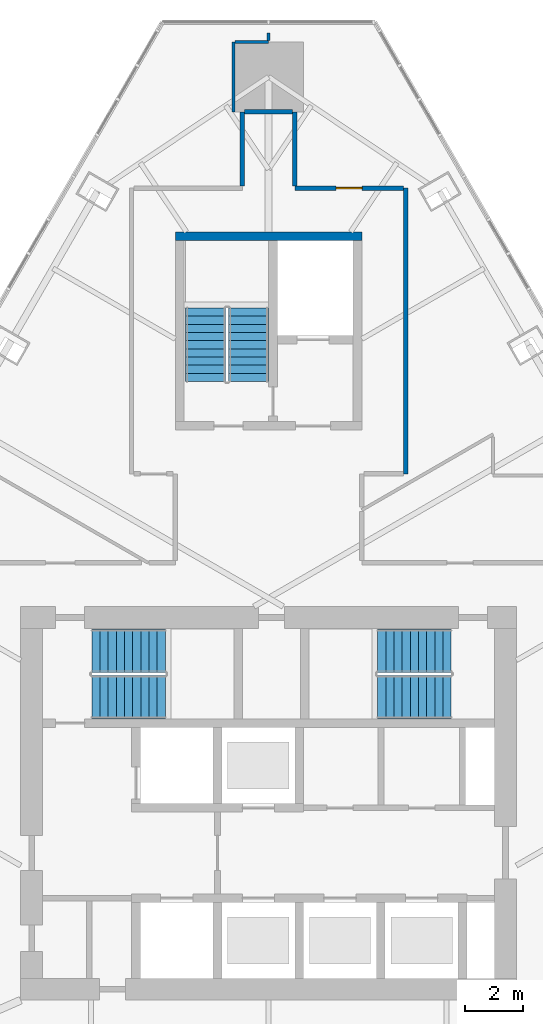
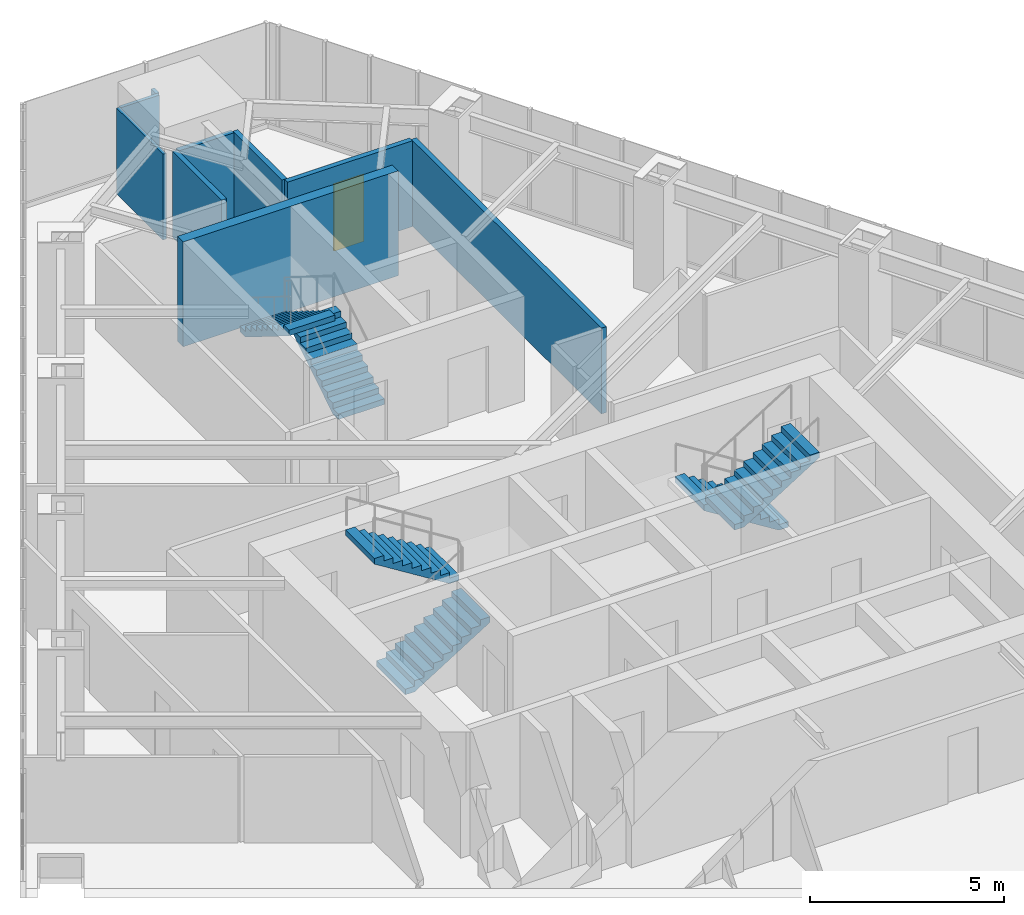
# One storey, part 18 of 20: 9 walls, 6 stair flights, 1 door, 1 opening, 3 elements without a shape of their own.
"""IFC4 building model written with IfcOpenShell, lengths in metres."""

import ifcopenshell
import ifcopenshell.guid

model = None  # the IFC model being written
_history = None  # IfcOwnerHistory: only IFC2X3 demands one
_inside = {}  # id of a spatial element -> (the spatial element, [elements in it])
_under = {}  # id of a project, library or spatial element -> (it, [spatial elements below it])
_declared = {}  # id of a project -> (the project, [libraries it declares])
_typed = {}  # id of a type object -> (the type object, [elements of that type])
_made_of = {}  # id of a material, layer set ... -> (it, [elements and type objects made of it])


def new_model(schema):
    """Start an empty IFC model of exactly this schema.

    Asked for "IFC4X3", IfcOpenShell would pick the latest addendum, in which some entities
    have other attributes; the version numbers below select the first issue.
    IFC2X3 requires an IfcOwnerHistory on every rooted entity: one is made here for all.
    """
    global model, _history
    if schema == "IFC4X3":
        model = ifcopenshell.file(schema_version=(4, 3, 0, 0))
    else:
        model = ifcopenshell.file(schema=schema)
    _inside.clear()
    _under.clear()
    _declared.clear()
    _typed.clear()
    _made_of.clear()
    _history = None
    if model.schema == "IFC2X3":
        org = make("IfcOrganization", Name="unknown")
        user = make(
            "IfcPersonAndOrganization",
            ThePerson=make("IfcPerson", FamilyName="unknown"),
            TheOrganization=org,
        )
        app = make(
            "IfcApplication",
            ApplicationDeveloper=org,
            Version="unknown",
            ApplicationFullName="unknown",
            ApplicationIdentifier="unknown",
        )
        _history = make(
            "IfcOwnerHistory",
            OwningUser=user,
            OwningApplication=app,
            ChangeAction="ADDED",
            CreationDate=0,
        )
    return model


def make(cls, **values):
    """One entity of the class cls with the attributes given. An attribute that is None is left unset."""
    return model.create_entity(
        cls, **{name: value for name, value in values.items() if value is not None}
    )


def rooted(cls, **values):
    """An entity with a GlobalId (a new one), such as an element, a storey or a relation."""
    return make(cls, GlobalId=ifcopenshell.guid.new(), OwnerHistory=_history, **values)


def si_unit(unit_type, name, prefix=None):
    """IfcSIUnit, for example si_unit("LENGTHUNIT", "METRE", prefix="MILLI")."""
    return make("IfcSIUnit", UnitType=unit_type, Prefix=prefix, Name=name)


def assignment(units):
    """IfcUnitAssignment: the units of a project."""
    return None if units is None else make("IfcUnitAssignment", Units=units)


def point(xyz):
    """IfcCartesianPoint."""
    return None if xyz is None else make("IfcCartesianPoint", Coordinates=xyz)


def direction(xyz):
    """IfcDirection."""
    return None if xyz is None else make("IfcDirection", DirectionRatios=xyz)


def frame(location, z_axis=None, x_axis=None):
    """IfcAxis2Placement3D, a coordinate frame: its origin and axes. An axis left out is left unset."""
    return make(
        "IfcAxis2Placement3D",
        Location=point(location),
        Axis=direction(z_axis),
        RefDirection=direction(x_axis),
    )


def frame_2d(location, x_axis=None):
    """IfcAxis2Placement2D, a coordinate frame in the plane: its origin and x axis."""
    return make(
        "IfcAxis2Placement2D", Location=point(location), RefDirection=direction(x_axis)
    )


def origin():
    """The frame at (0, 0, 0) with its axes left unset."""
    return frame((0.0, 0.0, 0.0))


def place(relative_to, where):
    """IfcLocalPlacement: puts the frame where relative to a parent placement (None: the world)."""
    return make(
        "IfcLocalPlacement", PlacementRelTo=relative_to, RelativePlacement=where
    )


def context(
    kind, dimensions, precision=None, world=None, true_north=None, identifier=None
):
    """IfcGeometricRepresentationContext, for example the 3D "Model" context."""
    return make(
        "IfcGeometricRepresentationContext",
        ContextIdentifier=identifier,
        ContextType=kind,
        CoordinateSpaceDimension=dimensions,
        Precision=precision,
        WorldCoordinateSystem=world,
        TrueNorth=true_north,
    )


def subcontext(parent, identifier, kind, view, scale=None):
    """IfcGeometricRepresentationSubContext, for example "Body" below "Model"."""
    return make(
        "IfcGeometricRepresentationSubContext",
        ContextIdentifier=identifier,
        ContextType=kind,
        ParentContext=parent,
        TargetScale=scale,
        TargetView=view,
    )


def project(units=None, contexts=None):
    """IfcProject with its units and contexts."""
    return rooted(
        "IfcProject",
        Name="project",
        RepresentationContexts=contexts,
        UnitsInContext=assignment(units),
    )


def spatial(cls, under=None, at=None, **own):
    """A site, building, storey or space (cls), placed at a placement, below another one or the project."""
    s = rooted(cls, ObjectPlacement=at, **own)
    if under is not None:
        _under.setdefault(under.id(), (under, []))[1].append(s)
    return s


def polyline(points):
    """IfcPolyline through the points."""
    return make("IfcPolyline", Points=[point(p) for p in points])


def profile(cls, at=None, kind="AREA", **sizes):
    """A parametric profile (cls). Its sizes go by their IFC names, for example OverallWidth=200.0."""
    return make(cls, ProfileType=kind, Position=at, **sizes)


def rectangle(**sizes):
    """IfcRectangleProfileDef."""
    return profile("IfcRectangleProfileDef", **sizes)


def outline(outer, holes=None, kind="AREA"):
    """IfcArbitraryClosedProfileDef: a profile drawn as a closed curve; with holes, ...WithVoids."""
    if holes is None:
        return make("IfcArbitraryClosedProfileDef", ProfileType=kind, OuterCurve=outer)
    return make(
        "IfcArbitraryProfileDefWithVoids",
        ProfileType=kind,
        OuterCurve=outer,
        InnerCurves=holes,
    )


def extrude(swept, where, along, depth):
    """IfcExtrudedAreaSolid: the profile swept, set in the frame where, extruded along a direction by depth."""
    return make(
        "IfcExtrudedAreaSolid",
        SweptArea=swept,
        Position=where,
        ExtrudedDirection=direction(along),
        Depth=depth,
    )


def shape(context_of_items, identifier, shape_type, items):
    """IfcShapeRepresentation: the items that make up one representation, for example the "Body"."""
    return make(
        "IfcShapeRepresentation",
        ContextOfItems=context_of_items,
        RepresentationIdentifier=identifier,
        RepresentationType=shape_type,
        Items=items,
    )


def material(Name=None, Category=None):
    """IfcMaterial."""
    return make("IfcMaterial", Name=Name, Category=Category)


def layer(
    of_material, thickness, ventilated=None, Name=None, Category=None, Priority=None
):
    """IfcMaterialLayer: one layer of a wall or slab, of a material (None: an air gap)."""
    return make(
        "IfcMaterialLayer",
        Material=of_material,
        LayerThickness=thickness,
        IsVentilated=ventilated,
        Name=Name,
        Category=Category,
        Priority=Priority,
    )


def layer_set(layers, Name=None):
    """IfcMaterialLayerSet."""
    return make("IfcMaterialLayerSet", MaterialLayers=layers, LayerSetName=Name)


def made_of(thing, what):
    """Note that an element or type object is made of a material, layer set ...; save() writes the relation."""
    if what is not None:
        _made_of.setdefault(what.id(), (what, []))[1].append(thing)
    return thing


def type_object(cls, material=None, **own):
    """A type object (cls), such as IfcWallType, which elements share."""
    return made_of(rooted(cls, **own), material)


def element(
    cls,
    number,
    at=None,
    inside=None,
    cuts=None,
    type_object=None,
    material=None,
    context=None,
    identifier="Body",
    shape_type=None,
    held_by="IfcProductDefinitionShape",
    body=None,
    shapes=None,
    **own,
):
    """One element of the class cls, such as IfcWall. Its Tag is "e" and its number.

    at: its placement. inside: the storey or other place that contains it. cuts: it is an
    opening in that element (IfcRelVoidsElement). A single representation is given by context,
    identifier, shape_type and body (its items); several are given by shapes. held_by: the class
    of the entity that holds the representations. save() writes the other relations.
    """
    e = rooted(cls, Tag="e%d" % number, ObjectPlacement=at, **own)
    if body is not None:
        shapes = [shape(context, identifier, shape_type, body)]
    if shapes is not None:
        e.Representation = make(held_by, Representations=shapes)
    if inside is not None:
        _inside.setdefault(inside.id(), (inside, []))[1].append(e)
    if cuts is not None:
        rooted(
            "IfcRelVoidsElement", RelatingBuildingElement=cuts, RelatedOpeningElement=e
        )
    if type_object is not None:
        _typed.setdefault(type_object.id(), (type_object, []))[1].append(e)
    return made_of(e, material)


def fill(opening, filler):
    """IfcRelFillsElement: the door or window that sits in an opening."""
    return rooted(
        "IfcRelFillsElement",
        RelatingOpeningElement=opening,
        RelatedBuildingElement=filler,
    )


def aggregate(whole, parts):
    """IfcRelAggregates: a whole, such as a stair, and the parts it consists of."""
    return rooted("IfcRelAggregates", RelatingObject=whole, RelatedObjects=parts)


def save(model, path):
    """Write the relations noted so far, then the file.

    IfcRelAggregates (storeys below a building ...), IfcRelContainedInSpatialStructure (elements
    in a storey), IfcRelDefinesByType, IfcRelAssociatesMaterial and IfcRelDeclares: one each for
    every whole, place, type object, material and project.
    """
    for whole, parts in _under.values():
        aggregate(whole, parts)
    for where, things in _inside.values():
        rooted(
            "IfcRelContainedInSpatialStructure",
            RelatedElements=things,
            RelatingStructure=where,
        )
    for kind, things in _typed.values():
        rooted("IfcRelDefinesByType", RelatedObjects=things, RelatingType=kind)
    for what, things in _made_of.values():
        rooted("IfcRelAssociatesMaterial", RelatedObjects=things, RelatingMaterial=what)
    for by, libraries in _declared.values():
        rooted("IfcRelDeclares", RelatingContext=by, RelatedDefinitions=libraries)
    model.write(path)


model = new_model("IFC4")

# Units and contexts
model_context = context("Model", 3, precision=1e-05, world=origin(), true_north=direction((0.0, 1.0)))
body_context = subcontext(model_context, "Body", "Model", "MODEL_VIEW")
ifc_project = project(units=[si_unit("LENGTHUNIT", "METRE"), si_unit("AREAUNIT", "SQUARE_METRE"), si_unit("VOLUMEUNIT", "CUBIC_METRE"), si_unit("PLANEANGLEUNIT", "RADIAN"), si_unit("MASSUNIT", "GRAM", prefix="KILO")], contexts=[model_context])

# Site, building, storey
site_placement = place(None, origin())
site = spatial("IfcSite", under=ifc_project, at=site_placement, CompositionType="ELEMENT")
building_placement = place(site_placement, origin())
building = spatial("IfcBuilding", under=site, at=building_placement, Name="Firuza Gate Tower and Library", CompositionType="ELEMENT")
storey_placement = place(building_placement, frame((0.0, 0.0, 305.60009765625)))
storey = spatial("IfcBuildingStorey", under=building, at=storey_placement, Name="L74", CompositionType="ELEMENT", Elevation=305.60009765625)

# Wall
ifc_material_1 = material(Name="Concrete C60/75", Category="concrete")
ifc_layer_1 = layer(ifc_material_1, 0.300048828125)
ifc_layer_set_1 = layer_set([ifc_layer_1], Name="Core wall 300 C60/75")
wall_type_1 = type_object("IfcWallType", Name="Core wall 300 C60/75", PredefinedType="SHEAR", material=ifc_layer_set_1)
wall_1_placement = place(storey_placement, frame((71.800048828125, 94.449951171875, 0.0), z_axis=(0.0, 0.0, 1.0), x_axis=(1.0, 0.0, 0.0)))
element("IfcWall", 1, at=wall_1_placement, inside=storey, type_object=wall_type_1, Name="Core wall L74 19", PredefinedType="SHEAR", context=body_context, shape_type="SweptSolid", body=[
    extrude(rectangle(XDim=6.39990234375, YDim=0.300048828125, at=frame_2d((3.199951171875, 0.0))), origin(), (0.0, 0.0, 1.0), 3.2998046875),
])

# Wall, opening, door
ifc_material_2 = material(Name="Gypsum board partition")
ifc_layer_2 = layer(ifc_material_2, 0.14990234375)
ifc_layer_set_2 = layer_set([ifc_layer_2], Name="Corridor wall 150 double board on steel studs")
wall_type_2 = type_object("IfcWallType", Name="Corridor wall 150 double board on steel studs", PredefinedType="PARTITIONING", material=ifc_layer_set_2)
wall_2_placement = place(storey_placement, frame((79.62451171875, 96.10009765625, 0.0), z_axis=(0.0, 0.0, 1.0), x_axis=(-1.0, 0.0, 0.0)))
wall_2 = element("IfcWall", 2, at=wall_2_placement, inside=storey, type_object=wall_type_2, Name="f:L74:w011", PredefinedType="PARTITIONING", context=body_context, shape_type="SweptSolid", body=[
    extrude(rectangle(XDim=3.724365234375, YDim=0.14990234375, at=frame_2d((1.8623046875, 0.0))), origin(), (0.0, 0.0, 1.0), 2.699951171875),
])
opening_placement = place(wall_2_placement, frame((1.412109375, 0.0, 0.0)))
opening = element("IfcOpeningElement", 3, at=opening_placement, cuts=wall_2, Name="Opening L74-11", PredefinedType="OPENING", context=body_context, shape_type="SweptSolid", body=[
    extrude(rectangle(XDim=0.89990234375, YDim=2.10009765625, at=frame_2d((0.449951171875, 1.050048828125))), frame((0.0, 0.0849609375, 0.0), z_axis=(0.0, -1.0, 0.0), x_axis=(1.0, 0.0, 0.0)), (0.0, 0.0, 1.0), 0.169921875),
])
ifc_material_3 = material(Name="Steel door and timber leaf", Category="steel")
door_type = type_object("IfcDoorType", Name="Fire door 900 x 2100 steel frame, timber leaf", OperationType="NOTDEFINED", PredefinedType="DOOR", material=ifc_material_3)
door_placement = place(opening_placement, origin())
door = element("IfcDoor", 4, at=door_placement, inside=storey, type_object=door_type, Name="f:L74:d011", OperationType="SINGLE_SWING_LEFT", OverallHeight=2.10009765625, OverallWidth=0.89990234375, PredefinedType="DOOR", context=body_context, shape_type="SweptSolid", body=[
    extrude(rectangle(XDim=0.89990234375, YDim=2.10009765625, at=frame_2d((0.449951171875, 1.050048828125))), frame((0.0, 0.02490234375, 0.0), z_axis=(0.0, -1.0, 0.0), x_axis=(1.0, 0.0, 0.0)), (0.0, 0.0, 1.0), 0.050048828125),
])
fill(opening, door)

# Walls
wall_3_placement = place(storey_placement, frame((74.18212890625, 98.715087890625, 0.0), z_axis=(0.0, 0.0, 1.0), x_axis=(1.0, 0.0, 0.0)))
element("IfcWall", 5, at=wall_3_placement, inside=storey, type_object=wall_type_2, Name="f:L74:w012", PredefinedType="PARTITIONING", context=body_context, shape_type="SweptSolid", body=[
    extrude(rectangle(XDim=1.642333984375, YDim=0.14990234375, at=frame_2d((0.8212890625, 0.0))), origin(), (0.0, 0.0, 1.0), 2.697021484375),
])
wall_4_placement = place(storey_placement, frame((79.699951171875, 86.300537109375, 0.0), z_axis=(0.0, 0.0, 1.0), x_axis=(0.0, 1.0, 0.0)))
element("IfcWall", 6, at=wall_4_placement, inside=storey, type_object=wall_type_2, Name="f:L74:w033", PredefinedType="PARTITIONING", context=body_context, shape_type="SweptSolid", body=[
    extrude(rectangle(XDim=9.798828125, YDim=0.14990234375, at=frame_2d((4.8994140625, 0.0))), origin(), (0.0, 0.0, 1.0), 2.699951171875),
])
wall_5_placement = place(storey_placement, frame((75.89990234375, 96.175048828125, 0.0), z_axis=(0.0, 0.0, 1.0), x_axis=(0.0, 1.0, 0.0)))
element("IfcWall", 7, at=wall_5_placement, inside=storey, type_object=wall_type_2, Name="f:L74:w035", PredefinedType="PARTITIONING", context=body_context, shape_type="SweptSolid", body=[
    extrude(rectangle(XDim=2.53955078125, YDim=0.14990234375, at=frame_2d((1.269775390625, 0.0))), origin(), (0.0, 0.0, 1.0), 2.699951171875),
])
wall_6_placement = place(storey_placement, frame((74.10009765625, 96.175048828125, 0.0), z_axis=(0.0, 0.0, 1.0), x_axis=(0.0, 1.0, 0.0)))
element("IfcWall", 8, at=wall_6_placement, inside=storey, type_object=wall_type_2, Name="f:L74:w037", PredefinedType="PARTITIONING", context=body_context, shape_type="SweptSolid", body=[
    extrude(rectangle(XDim=2.5400390625, YDim=0.14990234375, at=frame_2d((1.27001953125, 0.0))), origin(), (0.0, 0.0, 1.0), 2.699951171875),
])
ifc_material_4 = material(Name="Gypsum board partition")
ifc_layer_3 = layer(ifc_material_4, 0.10009765625)
ifc_layer_set_3 = layer_set([ifc_layer_3], Name="Partition 100 gypsum board on steel studs")
wall_type_3 = type_object("IfcWallType", Name="Partition 100 gypsum board on steel studs", PredefinedType="PARTITIONING", material=ifc_layer_set_3)
wall_7_placement = place(storey_placement, frame((73.85205078125, 101.114990234375, 0.0), z_axis=(0.0, 0.0, 1.0), x_axis=(1.0, 0.0, 0.0)))
element("IfcWall", 9, at=wall_7_placement, inside=storey, type_object=wall_type_3, Name="f:L74:w013", PredefinedType="PARTITIONING", context=body_context, shape_type="SweptSolid", body=[
    extrude(rectangle(XDim=1.14794921875, YDim=0.10009765625, at=frame_2d((0.573974609375, 0.0))), origin(), (0.0, 0.0, 1.0), 2.699951171875),
])
wall_8_placement = place(storey_placement, frame((75.0, 101.165283203125, 0.0), z_axis=(0.0, 0.0, 1.0), x_axis=(0.0, 1.0, 0.0)))
element("IfcWall", 10, at=wall_8_placement, inside=storey, type_object=wall_type_3, Name="f:L74:w036", PredefinedType="PARTITIONING", context=body_context, shape_type="SweptSolid", body=[
    extrude(rectangle(XDim=0.249755859375, YDim=0.10009765625, at=frame_2d((0.125, 0.0))), origin(), (0.0, 0.0, 1.0), 2.699951171875),
])
wall_9_placement = place(storey_placement, frame((73.800048828125, 98.71728515625, 0.0), z_axis=(0.0, 0.0, 1.0), x_axis=(0.0, 1.0, 0.0)))
element("IfcWall", 11, at=wall_9_placement, inside=storey, type_object=wall_type_3, Name="f:L74:w039", PredefinedType="PARTITIONING", context=body_context, shape_type="SweptSolid", body=[
    extrude(rectangle(XDim=2.395751953125, YDim=0.10009765625, at=frame_2d((1.19775390625, 0.0))), origin(), (0.0, 0.0, 1.0), 2.699951171875),
])

# Stair, stair flights
ifc_material_5 = material(Name="Concrete C35/45", Category="concrete")
stair_type_1 = type_object("IfcStairType", Name="Exit stair ST17", PredefinedType="HALF_TURN_STAIR", material=ifc_material_5)
placement = place(storey_placement, origin())
stair_1 = element("IfcStair", 12, at=placement, inside=storey, type_object=stair_type_1, Name="L74 Stair ST3", PredefinedType="HALF_TURN_STAIR")
ifc_material_6 = material(Name="Concrete C35/45", Category="concrete")
stair_flight_type_1 = type_object("IfcStairFlightType", Name="Stair flight 10 risers 175 width 1370", PredefinedType="STRAIGHT", material=ifc_material_6)
stair_flight_1_placement = place(storey_placement, frame((74.31494140625, 89.469970703125, 0.0), z_axis=(0.0, 0.0, 1.0), x_axis=(0.0, 1.0, 0.0)))
stair_flight_1 = element("IfcStairFlight", 13, at=stair_flight_1_placement, type_object=stair_flight_type_1, Name="ST3 flight 1", NumberOfRisers=10, NumberOfTreads=9, PredefinedType="STRAIGHT", RiserHeight=0.175, TreadLength=0.28, context=body_context, shape_type="SweptSolid", body=[
    extrude(outline(polyline([(0.0, 0.0), (0.0, 0.175048828125), (0.280029296875, 0.175048828125), (0.280029296875, 0.35009765625), (0.56005859375, 0.35009765625), (0.56005859375, 0.52490234375), (0.840087890625, 0.52490234375), (0.840087890625, 0.699951171875), (1.1201171875, 0.699951171875), (1.1201171875, 0.875), (1.39990234375, 0.875), (1.39990234375, 1.050048828125), (1.679931640625, 1.050048828125), (1.679931640625, 1.22509765625), (1.9599609375, 1.22509765625), (1.9599609375, 1.39990234375), (2.239990234375, 1.39990234375), (2.239990234375, 1.574951171875), (2.52001953125, 1.574951171875), (2.52001953125, 1.75), (2.52001953125, 1.398193359375), (0.28271484375, 0.0), (0.0, 0.0)])), frame((0.0, 0.68505859375, 0.0), z_axis=(0.0, -1.0, 0.0), x_axis=(1.0, 0.0, 0.0)), (0.0, 0.0, 1.0), 1.3701171875),
])
stair_flight_2_placement = place(storey_placement, frame((72.844970703125, 91.989990234375, 1.75), z_axis=(0.0, 0.0, 1.0), x_axis=(0.0, -1.0, 0.0)))
stair_flight_2 = element("IfcStairFlight", 14, at=stair_flight_2_placement, type_object=stair_flight_type_1, Name="ST3 flight 2", NumberOfRisers=10, NumberOfTreads=9, PredefinedType="STRAIGHT", RiserHeight=0.175, TreadLength=0.28, context=body_context, shape_type="SweptSolid", body=[
    extrude(outline(polyline([(0.0, 0.0), (0.0, 0.175048828125), (0.280029296875, 0.175048828125), (0.280029296875, 0.35009765625), (0.56005859375, 0.35009765625), (0.56005859375, 0.52490234375), (0.840087890625, 0.52490234375), (0.840087890625, 0.699951171875), (1.1201171875, 0.699951171875), (1.1201171875, 0.875), (1.39990234375, 0.875), (1.39990234375, 1.050048828125), (1.679931640625, 1.050048828125), (1.679931640625, 1.22509765625), (1.9599609375, 1.22509765625), (1.9599609375, 1.39990234375), (2.239990234375, 1.39990234375), (2.239990234375, 1.574951171875), (2.52001953125, 1.574951171875), (2.52001953125, 1.75), (2.52001953125, 1.398193359375), (0.28271484375, 0.0), (0.0, 0.0)])), frame((0.0, 0.68505859375, 0.0), z_axis=(0.0, -1.0, 0.0), x_axis=(1.0, 0.0, 0.0)), (0.0, 0.0, 1.0), 1.3701171875),
])
aggregate(stair_1, [stair_flight_1, stair_flight_2])

ifc_material_7 = material(Name="Concrete C35/45", Category="concrete")
stair_type_2 = type_object("IfcStairType", Name="Exit stair ST8", PredefinedType="HALF_TURN_STAIR", material=ifc_material_7)
stair_2 = element("IfcStair", 15, at=placement, inside=storey, type_object=stair_type_2, Name="L74 Stair ST1", PredefinedType="HALF_TURN_STAIR")
ifc_material_8 = material(Name="Concrete C35/45", Category="concrete")
stair_flight_type_2 = type_object("IfcStairFlightType", Name="Stair flight 10 risers 175 width 1490", PredefinedType="STRAIGHT", material=ifc_material_8)
stair_flight_3_placement = place(storey_placement, frame((68.93994140625, 78.64501953125, 0.0), z_axis=(0.0, 0.0, 1.0), x_axis=(1.0, 0.0, 0.0)))
stair_flight_3 = element("IfcStairFlight", 16, at=stair_flight_3_placement, type_object=stair_flight_type_2, Name="ST1 flight 1", NumberOfRisers=10, NumberOfTreads=9, PredefinedType="STRAIGHT", RiserHeight=0.175, TreadLength=0.28, context=body_context, shape_type="SweptSolid", body=[
    extrude(outline(polyline([(0.0, 0.0), (0.0, 0.175048828125), (0.280029296875, 0.175048828125), (0.280029296875, 0.35009765625), (0.56005859375, 0.35009765625), (0.56005859375, 0.52490234375), (0.840087890625, 0.52490234375), (0.840087890625, 0.699951171875), (1.1201171875, 0.699951171875), (1.1201171875, 0.875), (1.39990234375, 0.875), (1.39990234375, 1.050048828125), (1.679931640625, 1.050048828125), (1.679931640625, 1.22509765625), (1.9599609375, 1.22509765625), (1.9599609375, 1.39990234375), (2.239990234375, 1.39990234375), (2.239990234375, 1.574951171875), (2.52001953125, 1.574951171875), (2.52001953125, 1.75), (2.52001953125, 1.398193359375), (0.28271484375, 0.0), (0.0, 0.0)])), frame((0.0, 0.7451171875, 0.0), z_axis=(0.0, -1.0, 0.0), x_axis=(1.0, 0.0, 0.0)), (0.0, 0.0, 1.0), 1.489990234375),
])
stair_flight_4_placement = place(storey_placement, frame((71.4599609375, 80.235107421875, 1.75), z_axis=(0.0, 0.0, 1.0), x_axis=(-1.0, 0.0, 0.0)))
stair_flight_4 = element("IfcStairFlight", 17, at=stair_flight_4_placement, type_object=stair_flight_type_2, Name="ST1 flight 2", NumberOfRisers=10, NumberOfTreads=9, PredefinedType="STRAIGHT", RiserHeight=0.175, TreadLength=0.28, context=body_context, shape_type="SweptSolid", body=[
    extrude(outline(polyline([(0.0, 0.0), (0.0, 0.175048828125), (0.280029296875, 0.175048828125), (0.280029296875, 0.35009765625), (0.56005859375, 0.35009765625), (0.56005859375, 0.52490234375), (0.840087890625, 0.52490234375), (0.840087890625, 0.699951171875), (1.1201171875, 0.699951171875), (1.1201171875, 0.875), (1.39990234375, 0.875), (1.39990234375, 1.050048828125), (1.679931640625, 1.050048828125), (1.679931640625, 1.22509765625), (1.9599609375, 1.22509765625), (1.9599609375, 1.39990234375), (2.239990234375, 1.39990234375), (2.239990234375, 1.574951171875), (2.52001953125, 1.574951171875), (2.52001953125, 1.75), (2.52001953125, 1.398193359375), (0.28271484375, 0.0), (0.0, 0.0)])), frame((0.0, 0.7451171875, 0.0), z_axis=(0.0, -1.0, 0.0), x_axis=(1.0, 0.0, 0.0)), (0.0, 0.0, 1.0), 1.489990234375),
])
aggregate(stair_2, [stair_flight_3, stair_flight_4])

stair_3 = element("IfcStair", 18, at=placement, inside=storey, type_object=stair_type_2, Name="L74 Stair ST2", PredefinedType="HALF_TURN_STAIR")
stair_flight_5_placement = place(storey_placement, frame((81.260009765625, 80.235107421875, 0.0), z_axis=(0.0, 0.0, 1.0), x_axis=(-1.0, 0.0, 0.0)))
stair_flight_5 = element("IfcStairFlight", 19, at=stair_flight_5_placement, type_object=stair_flight_type_2, Name="ST2 flight 1", NumberOfRisers=10, NumberOfTreads=9, PredefinedType="STRAIGHT", RiserHeight=0.175, TreadLength=0.28, context=body_context, shape_type="SweptSolid", body=[
    extrude(outline(polyline([(0.0, 0.0), (0.0, 0.175048828125), (0.280029296875, 0.175048828125), (0.280029296875, 0.35009765625), (0.56005859375, 0.35009765625), (0.56005859375, 0.52490234375), (0.840087890625, 0.52490234375), (0.840087890625, 0.699951171875), (1.1201171875, 0.699951171875), (1.1201171875, 0.875), (1.39990234375, 0.875), (1.39990234375, 1.050048828125), (1.679931640625, 1.050048828125), (1.679931640625, 1.22509765625), (1.9599609375, 1.22509765625), (1.9599609375, 1.39990234375), (2.239990234375, 1.39990234375), (2.239990234375, 1.574951171875), (2.52001953125, 1.574951171875), (2.52001953125, 1.75), (2.52001953125, 1.398193359375), (0.28271484375, 0.0), (0.0, 0.0)])), frame((0.0, 0.7451171875, 0.0), z_axis=(0.0, -1.0, 0.0), x_axis=(1.0, 0.0, 0.0)), (0.0, 0.0, 1.0), 1.489990234375),
])
stair_flight_6_placement = place(storey_placement, frame((78.739990234375, 78.64501953125, 1.75), z_axis=(0.0, 0.0, 1.0), x_axis=(1.0, 0.0, 0.0)))
stair_flight_6 = element("IfcStairFlight", 20, at=stair_flight_6_placement, type_object=stair_flight_type_2, Name="ST2 flight 2", NumberOfRisers=10, NumberOfTreads=9, PredefinedType="STRAIGHT", RiserHeight=0.175, TreadLength=0.28, context=body_context, shape_type="SweptSolid", body=[
    extrude(outline(polyline([(0.0, 0.0), (0.0, 0.175048828125), (0.280029296875, 0.175048828125), (0.280029296875, 0.35009765625), (0.56005859375, 0.35009765625), (0.56005859375, 0.52490234375), (0.840087890625, 0.52490234375), (0.840087890625, 0.699951171875), (1.1201171875, 0.699951171875), (1.1201171875, 0.875), (1.39990234375, 0.875), (1.39990234375, 1.050048828125), (1.679931640625, 1.050048828125), (1.679931640625, 1.22509765625), (1.9599609375, 1.22509765625), (1.9599609375, 1.39990234375), (2.239990234375, 1.39990234375), (2.239990234375, 1.574951171875), (2.52001953125, 1.574951171875), (2.52001953125, 1.75), (2.52001953125, 1.398193359375), (0.28271484375, 0.0), (0.0, 0.0)])), frame((0.0, 0.7451171875, 0.0), z_axis=(0.0, -1.0, 0.0), x_axis=(1.0, 0.0, 0.0)), (0.0, 0.0, 1.0), 1.489990234375),
])
aggregate(stair_3, [stair_flight_5, stair_flight_6])

save(model, "model.ifc")
